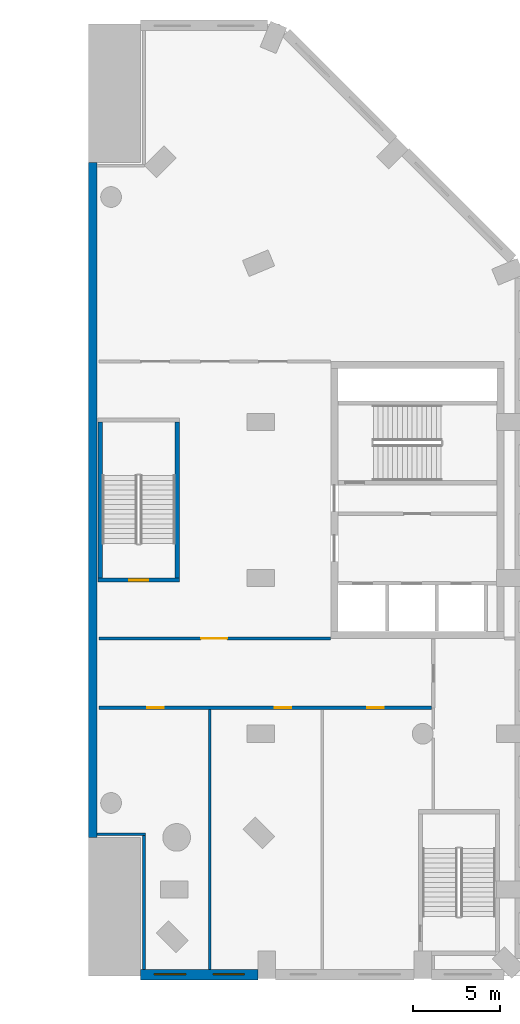
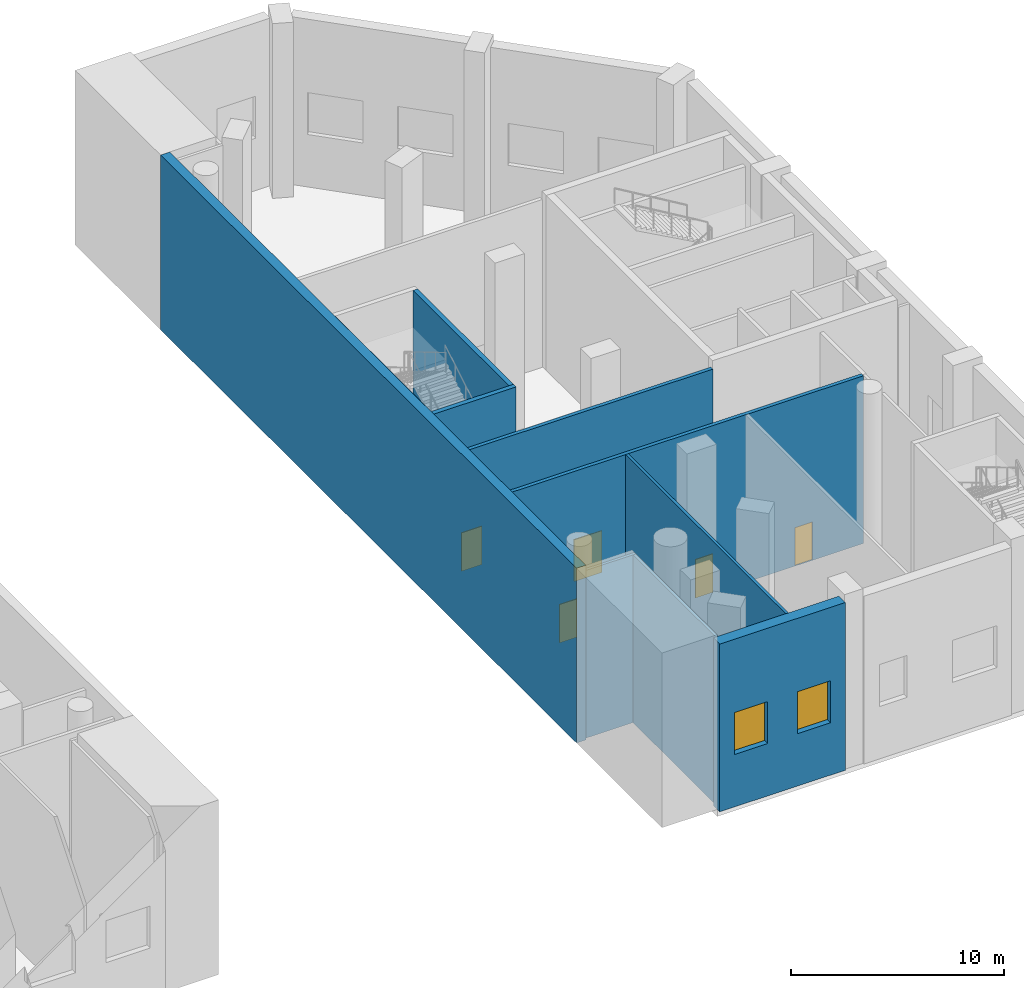
# One storey, part 5 of 17: 10 walls, 5 doors, 2 windows, 7 openings.
"""IFC4 building model written with IfcOpenShell, lengths in metres."""

import ifcopenshell
import ifcopenshell.guid

model = None  # the IFC model being written
_history = None  # IfcOwnerHistory: only IFC2X3 demands one
_inside = {}  # id of a spatial element -> (the spatial element, [elements in it])
_under = {}  # id of a project, library or spatial element -> (it, [spatial elements below it])
_declared = {}  # id of a project -> (the project, [libraries it declares])
_typed = {}  # id of a type object -> (the type object, [elements of that type])
_made_of = {}  # id of a material, layer set ... -> (it, [elements and type objects made of it])


def new_model(schema):
    """Start an empty IFC model of exactly this schema.

    Asked for "IFC4X3", IfcOpenShell would pick the latest addendum, in which some entities
    have other attributes; the version numbers below select the first issue.
    IFC2X3 requires an IfcOwnerHistory on every rooted entity: one is made here for all.
    """
    global model, _history
    if schema == "IFC4X3":
        model = ifcopenshell.file(schema_version=(4, 3, 0, 0))
    else:
        model = ifcopenshell.file(schema=schema)
    _inside.clear()
    _under.clear()
    _declared.clear()
    _typed.clear()
    _made_of.clear()
    _history = None
    if model.schema == "IFC2X3":
        org = make("IfcOrganization", Name="unknown")
        user = make(
            "IfcPersonAndOrganization",
            ThePerson=make("IfcPerson", FamilyName="unknown"),
            TheOrganization=org,
        )
        app = make(
            "IfcApplication",
            ApplicationDeveloper=org,
            Version="unknown",
            ApplicationFullName="unknown",
            ApplicationIdentifier="unknown",
        )
        _history = make(
            "IfcOwnerHistory",
            OwningUser=user,
            OwningApplication=app,
            ChangeAction="ADDED",
            CreationDate=0,
        )
    return model


def make(cls, **values):
    """One entity of the class cls with the attributes given. An attribute that is None is left unset."""
    return model.create_entity(
        cls, **{name: value for name, value in values.items() if value is not None}
    )


def rooted(cls, **values):
    """An entity with a GlobalId (a new one), such as an element, a storey or a relation."""
    return make(cls, GlobalId=ifcopenshell.guid.new(), OwnerHistory=_history, **values)


def si_unit(unit_type, name, prefix=None):
    """IfcSIUnit, for example si_unit("LENGTHUNIT", "METRE", prefix="MILLI")."""
    return make("IfcSIUnit", UnitType=unit_type, Prefix=prefix, Name=name)


def assignment(units):
    """IfcUnitAssignment: the units of a project."""
    return None if units is None else make("IfcUnitAssignment", Units=units)


def point(xyz):
    """IfcCartesianPoint."""
    return None if xyz is None else make("IfcCartesianPoint", Coordinates=xyz)


def direction(xyz):
    """IfcDirection."""
    return None if xyz is None else make("IfcDirection", DirectionRatios=xyz)


def frame(location, z_axis=None, x_axis=None):
    """IfcAxis2Placement3D, a coordinate frame: its origin and axes. An axis left out is left unset."""
    return make(
        "IfcAxis2Placement3D",
        Location=point(location),
        Axis=direction(z_axis),
        RefDirection=direction(x_axis),
    )


def frame_2d(location, x_axis=None):
    """IfcAxis2Placement2D, a coordinate frame in the plane: its origin and x axis."""
    return make(
        "IfcAxis2Placement2D", Location=point(location), RefDirection=direction(x_axis)
    )


def origin():
    """The frame at (0, 0, 0) with its axes left unset."""
    return frame((0.0, 0.0, 0.0))


def place(relative_to, where):
    """IfcLocalPlacement: puts the frame where relative to a parent placement (None: the world)."""
    return make(
        "IfcLocalPlacement", PlacementRelTo=relative_to, RelativePlacement=where
    )


def context(
    kind, dimensions, precision=None, world=None, true_north=None, identifier=None
):
    """IfcGeometricRepresentationContext, for example the 3D "Model" context."""
    return make(
        "IfcGeometricRepresentationContext",
        ContextIdentifier=identifier,
        ContextType=kind,
        CoordinateSpaceDimension=dimensions,
        Precision=precision,
        WorldCoordinateSystem=world,
        TrueNorth=true_north,
    )


def subcontext(parent, identifier, kind, view, scale=None):
    """IfcGeometricRepresentationSubContext, for example "Body" below "Model"."""
    return make(
        "IfcGeometricRepresentationSubContext",
        ContextIdentifier=identifier,
        ContextType=kind,
        ParentContext=parent,
        TargetScale=scale,
        TargetView=view,
    )


def project(units=None, contexts=None):
    """IfcProject with its units and contexts."""
    return rooted(
        "IfcProject",
        Name="project",
        RepresentationContexts=contexts,
        UnitsInContext=assignment(units),
    )


def spatial(cls, under=None, at=None, **own):
    """A site, building, storey or space (cls), placed at a placement, below another one or the project."""
    s = rooted(cls, ObjectPlacement=at, **own)
    if under is not None:
        _under.setdefault(under.id(), (under, []))[1].append(s)
    return s


def profile(cls, at=None, kind="AREA", **sizes):
    """A parametric profile (cls). Its sizes go by their IFC names, for example OverallWidth=200.0."""
    return make(cls, ProfileType=kind, Position=at, **sizes)


def rectangle(**sizes):
    """IfcRectangleProfileDef."""
    return profile("IfcRectangleProfileDef", **sizes)


def extrude(swept, where, along, depth):
    """IfcExtrudedAreaSolid: the profile swept, set in the frame where, extruded along a direction by depth."""
    return make(
        "IfcExtrudedAreaSolid",
        SweptArea=swept,
        Position=where,
        ExtrudedDirection=direction(along),
        Depth=depth,
    )


def shape(context_of_items, identifier, shape_type, items):
    """IfcShapeRepresentation: the items that make up one representation, for example the "Body"."""
    return make(
        "IfcShapeRepresentation",
        ContextOfItems=context_of_items,
        RepresentationIdentifier=identifier,
        RepresentationType=shape_type,
        Items=items,
    )


def material(Name=None, Category=None):
    """IfcMaterial."""
    return make("IfcMaterial", Name=Name, Category=Category)


def layer(
    of_material, thickness, ventilated=None, Name=None, Category=None, Priority=None
):
    """IfcMaterialLayer: one layer of a wall or slab, of a material (None: an air gap)."""
    return make(
        "IfcMaterialLayer",
        Material=of_material,
        LayerThickness=thickness,
        IsVentilated=ventilated,
        Name=Name,
        Category=Category,
        Priority=Priority,
    )


def layer_set(layers, Name=None):
    """IfcMaterialLayerSet."""
    return make("IfcMaterialLayerSet", MaterialLayers=layers, LayerSetName=Name)


def made_of(thing, what):
    """Note that an element or type object is made of a material, layer set ...; save() writes the relation."""
    if what is not None:
        _made_of.setdefault(what.id(), (what, []))[1].append(thing)
    return thing


def type_object(cls, material=None, **own):
    """A type object (cls), such as IfcWallType, which elements share."""
    return made_of(rooted(cls, **own), material)


def element(
    cls,
    number,
    at=None,
    inside=None,
    cuts=None,
    type_object=None,
    material=None,
    context=None,
    identifier="Body",
    shape_type=None,
    held_by="IfcProductDefinitionShape",
    body=None,
    shapes=None,
    **own,
):
    """One element of the class cls, such as IfcWall. Its Tag is "e" and its number.

    at: its placement. inside: the storey or other place that contains it. cuts: it is an
    opening in that element (IfcRelVoidsElement). A single representation is given by context,
    identifier, shape_type and body (its items); several are given by shapes. held_by: the class
    of the entity that holds the representations. save() writes the other relations.
    """
    e = rooted(cls, Tag="e%d" % number, ObjectPlacement=at, **own)
    if body is not None:
        shapes = [shape(context, identifier, shape_type, body)]
    if shapes is not None:
        e.Representation = make(held_by, Representations=shapes)
    if inside is not None:
        _inside.setdefault(inside.id(), (inside, []))[1].append(e)
    if cuts is not None:
        rooted(
            "IfcRelVoidsElement", RelatingBuildingElement=cuts, RelatedOpeningElement=e
        )
    if type_object is not None:
        _typed.setdefault(type_object.id(), (type_object, []))[1].append(e)
    return made_of(e, material)


def fill(opening, filler):
    """IfcRelFillsElement: the door or window that sits in an opening."""
    return rooted(
        "IfcRelFillsElement",
        RelatingOpeningElement=opening,
        RelatedBuildingElement=filler,
    )


def aggregate(whole, parts):
    """IfcRelAggregates: a whole, such as a stair, and the parts it consists of."""
    return rooted("IfcRelAggregates", RelatingObject=whole, RelatedObjects=parts)


def save(model, path):
    """Write the relations noted so far, then the file.

    IfcRelAggregates (storeys below a building ...), IfcRelContainedInSpatialStructure (elements
    in a storey), IfcRelDefinesByType, IfcRelAssociatesMaterial and IfcRelDeclares: one each for
    every whole, place, type object, material and project.
    """
    for whole, parts in _under.values():
        aggregate(whole, parts)
    for where, things in _inside.values():
        rooted(
            "IfcRelContainedInSpatialStructure",
            RelatedElements=things,
            RelatingStructure=where,
        )
    for kind, things in _typed.values():
        rooted("IfcRelDefinesByType", RelatedObjects=things, RelatingType=kind)
    for what, things in _made_of.values():
        rooted("IfcRelAssociatesMaterial", RelatedObjects=things, RelatingMaterial=what)
    for by, libraries in _declared.values():
        rooted("IfcRelDeclares", RelatingContext=by, RelatedDefinitions=libraries)
    model.write(path)


model = new_model("IFC4")

# Units and contexts
model_context = context("Model", 3, precision=1e-05, world=origin(), true_north=direction((0.0, 1.0)))
body_context = subcontext(model_context, "Body", "Model", "MODEL_VIEW")
ifc_project = project(units=[si_unit("LENGTHUNIT", "METRE"), si_unit("AREAUNIT", "SQUARE_METRE"), si_unit("VOLUMEUNIT", "CUBIC_METRE"), si_unit("PLANEANGLEUNIT", "RADIAN"), si_unit("MASSUNIT", "GRAM", prefix="KILO")], contexts=[model_context])

# Site, building, storey
site_placement = place(None, origin())
site = spatial("IfcSite", under=ifc_project, at=site_placement, CompositionType="ELEMENT")
building_placement = place(site_placement, origin())
building = spatial("IfcBuilding", under=site, at=building_placement, Name="Cypress Arch Tower", CompositionType="ELEMENT")
storey_placement = place(building_placement, frame((0.0, 0.0, 19.0)))
storey = spatial("IfcBuildingStorey", under=building, at=storey_placement, Name="L02", CompositionType="ELEMENT", Elevation=19.0)

# Wall, openings, windows
ifc_material_1 = material(Name="Brick (red buff blend) on blockwork backing", Category="masonry")
ifc_layer_1 = layer(ifc_material_1, 0.60009765625)
ifc_layer_set_1 = layer_set([ifc_layer_1], Name="Brick base wall BW600")
wall_type_1 = type_object("IfcWallType", Name="Brick base wall BW600", PredefinedType="ELEMENTEDWALL", material=ifc_layer_set_1)
wall_1_placement = place(storey_placement, frame((17.0, -27.425048828125, 0.0), z_axis=(0.0, 0.0, 1.0), x_axis=(1.0, 0.0, 0.0)))
wall_1 = element("IfcWall", 1, at=wall_1_placement, inside=storey, type_object=wall_type_1, Name="Brick wall L02 P00.1p1", PredefinedType="ELEMENTEDWALL", context=body_context, shape_type="SweptSolid", body=[
    extrude(rectangle(XDim=6.800048828125, YDim=0.60009765625, at=frame_2d((3.39990234375, 0.0))), origin(), (0.0, 0.0, 1.0), 9.60009765625),
])
opening_1_placement = place(wall_1_placement, frame((0.800048828125, 0.0, 3.0)))
opening_1 = element("IfcOpeningElement", 2, at=opening_1_placement, cuts=wall_1, Name="Opening W180P", PredefinedType="OPENING", context=body_context, shape_type="SweptSolid", body=[
    extrude(rectangle(XDim=1.800048828125, YDim=2.39990234375, at=frame_2d((0.89990234375, 1.199951171875))), frame((0.0, 0.31005859375, 0.0), z_axis=(0.0, -1.0, 0.0), x_axis=(1.0, 0.0, 0.0)), (0.0, 0.0, 1.0), 0.6201171875),
])
opening_2_placement = place(wall_1_placement, frame((4.199951171875, 0.0, 3.0)))
opening_2 = element("IfcOpeningElement", 3, at=opening_2_placement, cuts=wall_1, Name="Opening W180P", PredefinedType="OPENING", context=body_context, shape_type="SweptSolid", body=[
    extrude(rectangle(XDim=1.800048828125, YDim=2.39990234375, at=frame_2d((0.89990234375, 1.199951171875))), frame((0.0, 0.31005859375, 0.0), z_axis=(0.0, -1.0, 0.0), x_axis=(1.0, 0.0, 0.0)), (0.0, 0.0, 1.0), 0.6201171875),
])
ifc_material_2 = material(Name="Anodised aluminium, bronze finish, clear low-emissivity double glazing", Category="aluminium")
window_type = type_object("IfcWindowType", Name="Window Podium 1800x2400", PartitioningType="SINGLE_PANEL", PredefinedType="WINDOW", material=ifc_material_2)
window_1_placement = place(opening_1_placement, origin())
window_1 = element("IfcWindow", 4, at=window_1_placement, inside=storey, type_object=window_type, Name="Window L02 P00.1p1.1", OverallHeight=2.39990234375, OverallWidth=1.800048828125, PartitioningType="SINGLE_PANEL", PredefinedType="WINDOW", context=body_context, shape_type="SweptSolid", body=[
    extrude(rectangle(XDim=1.800048828125, YDim=2.39990234375, at=frame_2d((0.89990234375, 1.199951171875))), frame((0.0, 0.06005859375, 0.0), z_axis=(0.0, -1.0, 0.0), x_axis=(1.0, 0.0, 0.0)), (0.0, 0.0, 1.0), 0.06005859375),
])
fill(opening_1, window_1)
window_2_placement = place(opening_2_placement, origin())
window_2 = element("IfcWindow", 5, at=window_2_placement, inside=storey, type_object=window_type, Name="Window L02 P00.1p1.2", OverallHeight=2.39990234375, OverallWidth=1.800048828125, PartitioningType="SINGLE_PANEL", PredefinedType="WINDOW", context=body_context, shape_type="SweptSolid", body=[
    extrude(rectangle(XDim=1.800048828125, YDim=2.39990234375, at=frame_2d((0.89990234375, 1.199951171875))), frame((0.0, 0.06005859375, 0.0), z_axis=(0.0, -1.0, 0.0), x_axis=(1.0, 0.0, 0.0)), (0.0, 0.0, 1.0), 0.06005859375),
])
fill(opening_2, window_2)

# Wall, openings, doors
ifc_material_3 = material(Name="Concrete blockwork, plastered, rated", Category="masonry")
ifc_layer_2 = layer(ifc_material_3, 0.199951171875)
ifc_layer_set_2 = layer_set([ifc_layer_2], Name="Corridor wall FW200")
wall_type_2 = type_object("IfcWallType", Name="Corridor wall FW200", PredefinedType="PARTITIONING", material=ifc_layer_set_2)
wall_2_placement = place(storey_placement, frame((14.60009765625, -12.0, 0.0), z_axis=(0.0, 0.0, 1.0), x_axis=(1.0, 0.0, 0.0)))
wall_2 = element("IfcWall", 6, at=wall_2_placement, inside=storey, type_object=wall_type_2, Name="Corridor wall", PredefinedType="PARTITIONING", context=body_context, shape_type="SweptSolid", body=[
    extrude(rectangle(XDim=19.199951171875, YDim=0.199951171875, at=frame_2d((9.60009765625, 0.0))), origin(), (0.0, 0.0, 1.0), 9.597900390625),
])
opening_3_placement = place(wall_2_placement, frame((2.800048828125, 0.0, 0.0)))
opening_3 = element("IfcOpeningElement", 7, at=opening_3_placement, cuts=wall_2, Name="Opening D02", PredefinedType="OPENING", context=body_context, shape_type="SweptSolid", body=[
    extrude(rectangle(XDim=0.949951171875, YDim=2.199951171875, at=frame_2d((0.47509765625, 1.10009765625))), frame((0.0, 0.10986328125, 0.0), z_axis=(0.0, -1.0, 0.0), x_axis=(1.0, 0.0, 0.0)), (0.0, 0.0, 1.0), 0.219970703125),
])
opening_4_placement = place(wall_2_placement, frame((10.14990234375, 0.0, 0.0)))
opening_4 = element("IfcOpeningElement", 8, at=opening_4_placement, cuts=wall_2, Name="Opening D02", PredefinedType="OPENING", context=body_context, shape_type="SweptSolid", body=[
    extrude(rectangle(XDim=0.949951171875, YDim=2.199951171875, at=frame_2d((0.47509765625, 1.10009765625))), frame((0.0, 0.10986328125, 0.0), z_axis=(0.0, -1.0, 0.0), x_axis=(1.0, 0.0, 0.0)), (0.0, 0.0, 1.0), 0.219970703125),
])
opening_5_placement = place(wall_2_placement, frame((15.5, 0.0, 0.0)))
opening_5 = element("IfcOpeningElement", 9, at=opening_5_placement, cuts=wall_2, Name="Opening D02", PredefinedType="OPENING", context=body_context, shape_type="SweptSolid", body=[
    extrude(rectangle(XDim=0.949951171875, YDim=2.199951171875, at=frame_2d((0.47509765625, 1.10009765625))), frame((0.0, 0.10986328125, 0.0), z_axis=(0.0, -1.0, 0.0), x_axis=(1.0, 0.0, 0.0)), (0.0, 0.0, 1.0), 0.219970703125),
])
ifc_material_4 = material(Name="Timber flush door, fire resisting", Category="wood")
door_type_1 = type_object("IfcDoorType", Name="Room door D02 950x2200", OperationType="SINGLE_SWING_LEFT", PredefinedType="DOOR", material=ifc_material_4)
door_1_placement = place(opening_3_placement, origin())
door_1 = element("IfcDoor", 10, at=door_1_placement, inside=storey, type_object=door_type_1, Name="Room door", OperationType="SINGLE_SWING_LEFT", OverallHeight=2.199951171875, OverallWidth=0.949951171875, PredefinedType="DOOR", context=body_context, shape_type="SweptSolid", body=[
    extrude(rectangle(XDim=0.949951171875, YDim=2.199951171875, at=frame_2d((0.47509765625, 1.10009765625))), frame((0.0, 0.02490234375, 0.0), z_axis=(0.0, -1.0, 0.0), x_axis=(1.0, 0.0, 0.0)), (0.0, 0.0, 1.0), 0.050048828125),
])
fill(opening_3, door_1)
door_2_placement = place(opening_4_placement, origin())
door_2 = element("IfcDoor", 11, at=door_2_placement, inside=storey, type_object=door_type_1, Name="Room door", OperationType="SINGLE_SWING_LEFT", OverallHeight=2.199951171875, OverallWidth=0.949951171875, PredefinedType="DOOR", context=body_context, shape_type="SweptSolid", body=[
    extrude(rectangle(XDim=0.949951171875, YDim=2.199951171875, at=frame_2d((0.47509765625, 1.10009765625))), frame((0.0, 0.02490234375, 0.0), z_axis=(0.0, -1.0, 0.0), x_axis=(1.0, 0.0, 0.0)), (0.0, 0.0, 1.0), 0.050048828125),
])
fill(opening_4, door_2)
door_3_placement = place(opening_5_placement, origin())
door_3 = element("IfcDoor", 12, at=door_3_placement, inside=storey, type_object=door_type_1, Name="Room door", OperationType="SINGLE_SWING_RIGHT", OverallHeight=2.199951171875, OverallWidth=0.949951171875, PredefinedType="DOOR", context=body_context, shape_type="SweptSolid", body=[
    extrude(rectangle(XDim=0.949951171875, YDim=2.199951171875, at=frame_2d((0.47509765625, 1.10009765625))), frame((0.0, 0.02490234375, 0.0), z_axis=(0.0, -1.0, 0.0), x_axis=(1.0, 0.0, 0.0)), (0.0, 0.0, 1.0), 0.050048828125),
])
fill(opening_5, door_3)

# Wall, opening, door
wall_3_placement = place(storey_placement, frame((14.60009765625, -8.0, 0.0), z_axis=(0.0, 0.0, 1.0), x_axis=(1.0, 0.0, 0.0)))
wall_3 = element("IfcWall", 13, at=wall_3_placement, inside=storey, type_object=wall_type_2, Name="Corridor wall", PredefinedType="PARTITIONING", context=body_context, shape_type="SweptSolid", body=[
    extrude(rectangle(XDim=13.369873046875, YDim=0.199951171875, at=frame_2d((6.68505859375, 0.0))), origin(), (0.0, 0.0, 1.0), 9.597900390625),
])
opening_6_placement = place(wall_3_placement, frame((5.89990234375, 0.0, 0.0)))
opening_6 = element("IfcOpeningElement", 14, at=opening_6_placement, cuts=wall_3, Name="Opening D07", PredefinedType="OPENING", context=body_context, shape_type="SweptSolid", body=[
    extrude(rectangle(XDim=1.5, YDim=2.39990234375, at=frame_2d((0.75, 1.199951171875))), frame((0.0, 0.10986328125, 0.0), z_axis=(0.0, -1.0, 0.0), x_axis=(1.0, 0.0, 0.0)), (0.0, 0.0, 1.0), 0.219970703125),
])
ifc_material_5 = material(Name="Steel framed glazed door, fire resisting", Category="steel")
door_type_2 = type_object("IfcDoorType", Name="Lobby door D07 1500x2400", OperationType="DOUBLE_DOOR_SINGLE_SWING", PredefinedType="DOOR", material=ifc_material_5)
door_4_placement = place(opening_6_placement, origin())
door_4 = element("IfcDoor", 15, at=door_4_placement, inside=storey, type_object=door_type_2, Name="Lobby door", OperationType="DOUBLE_DOOR_SINGLE_SWING", OverallHeight=2.39990234375, OverallWidth=1.5, PredefinedType="DOOR", context=body_context, shape_type="SweptSolid", body=[
    extrude(rectangle(XDim=1.5, YDim=2.39990234375, at=frame_2d((0.75, 1.199951171875))), frame((0.0, 0.02490234375, 0.0), z_axis=(0.0, -1.0, 0.0), x_axis=(1.0, 0.0, 0.0)), (0.0, 0.0, 1.0), 0.050048828125),
])
fill(opening_6, door_4)

# Walls
ifc_material_6 = material(Name="Blockwork, plastered both sides", Category="masonry")
ifc_layer_3 = layer(ifc_material_6, 0.14990234375)
ifc_layer_set_3 = layer_set([ifc_layer_3], Name="Partition PW150")
wall_type_3 = type_object("IfcWallType", Name="Partition PW150", PredefinedType="PARTITIONING", material=ifc_layer_set_3)
wall_4_placement = place(storey_placement, frame((14.5, -19.300048828125, 0.0), z_axis=(0.0, 0.0, 1.0), x_axis=(1.0, 0.0, 0.0)))
element("IfcWall", 16, at=wall_4_placement, inside=storey, type_object=wall_type_3, Name="Partition", PredefinedType="PARTITIONING", context=body_context, shape_type="SweptSolid", body=[
    extrude(rectangle(XDim=2.77490234375, YDim=0.14990234375, at=frame_2d((1.387451171875, 0.0))), origin(), (0.0, 0.0, 1.0), 9.597900390625),
])
wall_5_placement = place(storey_placement, frame((17.199951171875, -27.125, 0.0), z_axis=(0.0, 0.0, 1.0), x_axis=(0.0, 1.0, 0.0)))
element("IfcWall", 17, at=wall_5_placement, inside=storey, type_object=wall_type_3, Name="Partition", PredefinedType="PARTITIONING", context=body_context, shape_type="SweptSolid", body=[
    extrude(rectangle(XDim=7.75, YDim=0.14990234375, at=frame_2d((3.875, 0.0))), origin(), (0.0, 0.0, 1.0), 9.597900390625),
])
wall_6_placement = place(storey_placement, frame((21.0, -27.125, 0.0), z_axis=(0.0, 0.0, 1.0), x_axis=(0.0, 1.0, 0.0)))
element("IfcWall", 18, at=wall_6_placement, inside=storey, type_object=wall_type_3, Name="Partition", PredefinedType="PARTITIONING", context=body_context, shape_type="SweptSolid", body=[
    extrude(rectangle(XDim=15.02490234375, YDim=0.14990234375, at=frame_2d((7.512451171875, 0.0))), origin(), (0.0, 0.0, 1.0), 9.597900390625),
])
ifc_material_7 = material(Name="Concrete C60/75", Category="concrete")
ifc_layer_4 = layer(ifc_material_7, 0.5)
ifc_layer_set_4 = layer_set([ifc_layer_4], Name="Passage wall 500 Concrete C60/75")
wall_type_4 = type_object("IfcWallType", Name="Passage wall 500 Concrete C60/75", PredefinedType="SOLIDWALL", material=ifc_layer_set_4)
wall_7_placement = place(storey_placement, frame((14.25, -19.5, 0.0), z_axis=(0.0, 0.0, 1.0), x_axis=(0.0, 1.0, 0.0)))
element("IfcWall", 19, at=wall_7_placement, inside=storey, type_object=wall_type_4, Name="Gate passage wall E L02", PredefinedType="SOLIDWALL", context=body_context, shape_type="SweptSolid", body=[
    extrude(rectangle(XDim=39.0, YDim=0.5, at=frame_2d((19.5, 0.0))), origin(), (0.0, 0.0, 1.0), 10.0),
])
ifc_material_8 = material(Name="Concrete C50/60", Category="concrete")
ifc_layer_5 = layer(ifc_material_8, 0.25)
ifc_layer_set_5 = layer_set([ifc_layer_5], Name="Stair enclosure wall SW250")
wall_type_5 = type_object("IfcWallType", Name="Stair enclosure wall SW250", PredefinedType="SHEAR", material=ifc_layer_set_5)
wall_8_placement = place(storey_placement, frame((14.675048828125, -4.5, 0.0), z_axis=(0.0, 0.0, 1.0), x_axis=(0.0, 1.0, 0.0)))
element("IfcWall", 20, at=wall_8_placement, inside=storey, type_object=wall_type_5, Name="Stair enclosure wall", PredefinedType="SHEAR", context=body_context, shape_type="SweptSolid", body=[
    extrude(rectangle(XDim=9.0, YDim=0.25, at=frame_2d((4.5, 0.0))), origin(), (0.0, 0.0, 1.0), 9.60009765625),
])

# Wall, opening, door
wall_9_placement = place(storey_placement, frame((14.550048828125, -4.625, 0.0), z_axis=(0.0, 0.0, 1.0), x_axis=(1.0, 0.0, 0.0)))
wall_9 = element("IfcWall", 21, at=wall_9_placement, inside=storey, type_object=wall_type_5, Name="Stair enclosure wall", PredefinedType="SHEAR", context=body_context, shape_type="SweptSolid", body=[
    extrude(rectangle(XDim=4.699951171875, YDim=0.25, at=frame_2d((2.35009765625, 0.0))), origin(), (0.0, 0.0, 1.0), 9.60009765625),
])
opening_7_placement = place(wall_9_placement, frame((1.800048828125, 0.0, 0.0)))
opening_7 = element("IfcOpeningElement", 22, at=opening_7_placement, cuts=wall_9, Name="Opening D06", PredefinedType="OPENING", context=body_context, shape_type="SweptSolid", body=[
    extrude(rectangle(XDim=1.10009765625, YDim=2.199951171875, at=frame_2d((0.550048828125, 1.10009765625))), frame((0.0, 0.135009765625, 0.0), z_axis=(0.0, -1.0, 0.0), x_axis=(1.0, 0.0, 0.0)), (0.0, 0.0, 1.0), 0.27001953125),
])
ifc_material_9 = material(Name="Steel door, fire resisting, panic bar", Category="steel")
door_type_3 = type_object("IfcDoorType", Name="Stair door D06 1100x2200", OperationType="SINGLE_SWING_LEFT", PredefinedType="DOOR", material=ifc_material_9)
door_5_placement = place(opening_7_placement, origin())
door_5 = element("IfcDoor", 23, at=door_5_placement, inside=storey, type_object=door_type_3, Name="Stair door", OperationType="SINGLE_SWING_RIGHT", OverallHeight=2.199951171875, OverallWidth=1.10009765625, PredefinedType="DOOR", context=body_context, shape_type="SweptSolid", body=[
    extrude(rectangle(XDim=1.10009765625, YDim=2.199951171875, at=frame_2d((0.550048828125, 1.10009765625))), frame((0.0, 0.02490234375, 0.0), z_axis=(0.0, -1.0, 0.0), x_axis=(1.0, 0.0, 0.0)), (0.0, 0.0, 1.0), 0.050048828125),
])
fill(opening_7, door_5)

# Wall
wall_10_placement = place(storey_placement, frame((19.125, -4.5, 0.0), z_axis=(0.0, 0.0, 1.0), x_axis=(0.0, 1.0, 0.0)))
element("IfcWall", 24, at=wall_10_placement, inside=storey, type_object=wall_type_5, Name="Stair enclosure wall", PredefinedType="SHEAR", context=body_context, shape_type="SweptSolid", body=[
    extrude(rectangle(XDim=9.0, YDim=0.25, at=frame_2d((4.5, 0.0))), origin(), (0.0, 0.0, 1.0), 9.60009765625),
])

save(model, "model.ifc")
